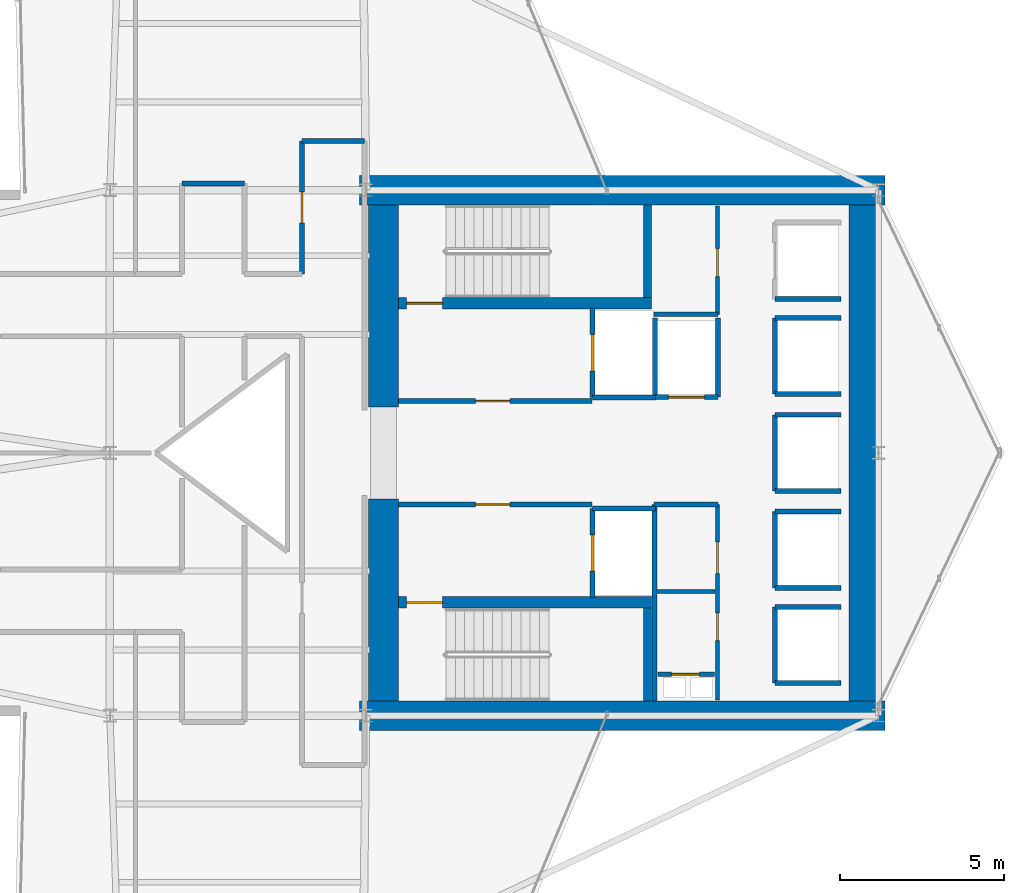
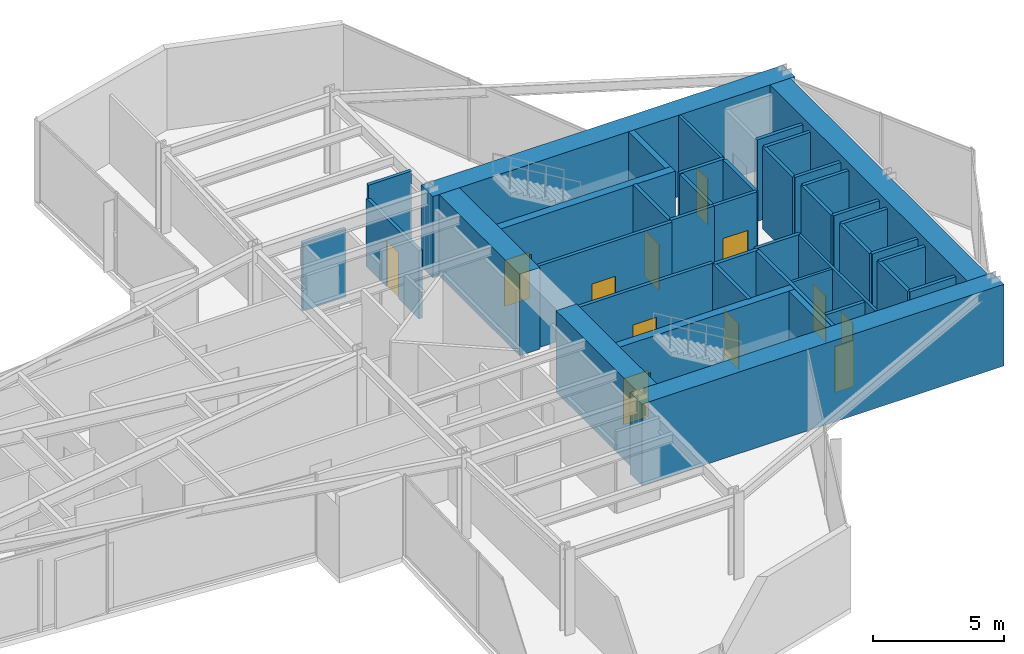
# One storey, part 22 of 24: 41 walls, 12 doors, 12 openings.
"""IFC4 building model written with IfcOpenShell, lengths in metres."""

import ifcopenshell
import ifcopenshell.guid

model = None  # the IFC model being written
_history = None  # IfcOwnerHistory: only IFC2X3 demands one
_inside = {}  # id of a spatial element -> (the spatial element, [elements in it])
_under = {}  # id of a project, library or spatial element -> (it, [spatial elements below it])
_declared = {}  # id of a project -> (the project, [libraries it declares])
_typed = {}  # id of a type object -> (the type object, [elements of that type])
_made_of = {}  # id of a material, layer set ... -> (it, [elements and type objects made of it])


def new_model(schema):
    """Start an empty IFC model of exactly this schema.

    Asked for "IFC4X3", IfcOpenShell would pick the latest addendum, in which some entities
    have other attributes; the version numbers below select the first issue.
    IFC2X3 requires an IfcOwnerHistory on every rooted entity: one is made here for all.
    """
    global model, _history
    if schema == "IFC4X3":
        model = ifcopenshell.file(schema_version=(4, 3, 0, 0))
    else:
        model = ifcopenshell.file(schema=schema)
    _inside.clear()
    _under.clear()
    _declared.clear()
    _typed.clear()
    _made_of.clear()
    _history = None
    if model.schema == "IFC2X3":
        org = make("IfcOrganization", Name="unknown")
        user = make(
            "IfcPersonAndOrganization",
            ThePerson=make("IfcPerson", FamilyName="unknown"),
            TheOrganization=org,
        )
        app = make(
            "IfcApplication",
            ApplicationDeveloper=org,
            Version="unknown",
            ApplicationFullName="unknown",
            ApplicationIdentifier="unknown",
        )
        _history = make(
            "IfcOwnerHistory",
            OwningUser=user,
            OwningApplication=app,
            ChangeAction="ADDED",
            CreationDate=0,
        )
    return model


def make(cls, **values):
    """One entity of the class cls with the attributes given. An attribute that is None is left unset."""
    return model.create_entity(
        cls, **{name: value for name, value in values.items() if value is not None}
    )


def rooted(cls, **values):
    """An entity with a GlobalId (a new one), such as an element, a storey or a relation."""
    return make(cls, GlobalId=ifcopenshell.guid.new(), OwnerHistory=_history, **values)


def si_unit(unit_type, name, prefix=None):
    """IfcSIUnit, for example si_unit("LENGTHUNIT", "METRE", prefix="MILLI")."""
    return make("IfcSIUnit", UnitType=unit_type, Prefix=prefix, Name=name)


def assignment(units):
    """IfcUnitAssignment: the units of a project."""
    return None if units is None else make("IfcUnitAssignment", Units=units)


def point(xyz):
    """IfcCartesianPoint."""
    return None if xyz is None else make("IfcCartesianPoint", Coordinates=xyz)


def direction(xyz):
    """IfcDirection."""
    return None if xyz is None else make("IfcDirection", DirectionRatios=xyz)


def frame(location, z_axis=None, x_axis=None):
    """IfcAxis2Placement3D, a coordinate frame: its origin and axes. An axis left out is left unset."""
    return make(
        "IfcAxis2Placement3D",
        Location=point(location),
        Axis=direction(z_axis),
        RefDirection=direction(x_axis),
    )


def frame_2d(location, x_axis=None):
    """IfcAxis2Placement2D, a coordinate frame in the plane: its origin and x axis."""
    return make(
        "IfcAxis2Placement2D", Location=point(location), RefDirection=direction(x_axis)
    )


def origin():
    """The frame at (0, 0, 0) with its axes left unset."""
    return frame((0.0, 0.0, 0.0))


def place(relative_to, where):
    """IfcLocalPlacement: puts the frame where relative to a parent placement (None: the world)."""
    return make(
        "IfcLocalPlacement", PlacementRelTo=relative_to, RelativePlacement=where
    )


def context(
    kind, dimensions, precision=None, world=None, true_north=None, identifier=None
):
    """IfcGeometricRepresentationContext, for example the 3D "Model" context."""
    return make(
        "IfcGeometricRepresentationContext",
        ContextIdentifier=identifier,
        ContextType=kind,
        CoordinateSpaceDimension=dimensions,
        Precision=precision,
        WorldCoordinateSystem=world,
        TrueNorth=true_north,
    )


def subcontext(parent, identifier, kind, view, scale=None):
    """IfcGeometricRepresentationSubContext, for example "Body" below "Model"."""
    return make(
        "IfcGeometricRepresentationSubContext",
        ContextIdentifier=identifier,
        ContextType=kind,
        ParentContext=parent,
        TargetScale=scale,
        TargetView=view,
    )


def project(units=None, contexts=None):
    """IfcProject with its units and contexts."""
    return rooted(
        "IfcProject",
        Name="project",
        RepresentationContexts=contexts,
        UnitsInContext=assignment(units),
    )


def spatial(cls, under=None, at=None, **own):
    """A site, building, storey or space (cls), placed at a placement, below another one or the project."""
    s = rooted(cls, ObjectPlacement=at, **own)
    if under is not None:
        _under.setdefault(under.id(), (under, []))[1].append(s)
    return s


def profile(cls, at=None, kind="AREA", **sizes):
    """A parametric profile (cls). Its sizes go by their IFC names, for example OverallWidth=200.0."""
    return make(cls, ProfileType=kind, Position=at, **sizes)


def rectangle(**sizes):
    """IfcRectangleProfileDef."""
    return profile("IfcRectangleProfileDef", **sizes)


def extrude(swept, where, along, depth):
    """IfcExtrudedAreaSolid: the profile swept, set in the frame where, extruded along a direction by depth."""
    return make(
        "IfcExtrudedAreaSolid",
        SweptArea=swept,
        Position=where,
        ExtrudedDirection=direction(along),
        Depth=depth,
    )


def shape(context_of_items, identifier, shape_type, items):
    """IfcShapeRepresentation: the items that make up one representation, for example the "Body"."""
    return make(
        "IfcShapeRepresentation",
        ContextOfItems=context_of_items,
        RepresentationIdentifier=identifier,
        RepresentationType=shape_type,
        Items=items,
    )


def material(Name=None, Category=None):
    """IfcMaterial."""
    return make("IfcMaterial", Name=Name, Category=Category)


def layer(
    of_material, thickness, ventilated=None, Name=None, Category=None, Priority=None
):
    """IfcMaterialLayer: one layer of a wall or slab, of a material (None: an air gap)."""
    return make(
        "IfcMaterialLayer",
        Material=of_material,
        LayerThickness=thickness,
        IsVentilated=ventilated,
        Name=Name,
        Category=Category,
        Priority=Priority,
    )


def layer_set(layers, Name=None):
    """IfcMaterialLayerSet."""
    return make("IfcMaterialLayerSet", MaterialLayers=layers, LayerSetName=Name)


def made_of(thing, what):
    """Note that an element or type object is made of a material, layer set ...; save() writes the relation."""
    if what is not None:
        _made_of.setdefault(what.id(), (what, []))[1].append(thing)
    return thing


def type_object(cls, material=None, **own):
    """A type object (cls), such as IfcWallType, which elements share."""
    return made_of(rooted(cls, **own), material)


def element(
    cls,
    number,
    at=None,
    inside=None,
    cuts=None,
    type_object=None,
    material=None,
    context=None,
    identifier="Body",
    shape_type=None,
    held_by="IfcProductDefinitionShape",
    body=None,
    shapes=None,
    **own,
):
    """One element of the class cls, such as IfcWall. Its Tag is "e" and its number.

    at: its placement. inside: the storey or other place that contains it. cuts: it is an
    opening in that element (IfcRelVoidsElement). A single representation is given by context,
    identifier, shape_type and body (its items); several are given by shapes. held_by: the class
    of the entity that holds the representations. save() writes the other relations.
    """
    e = rooted(cls, Tag="e%d" % number, ObjectPlacement=at, **own)
    if body is not None:
        shapes = [shape(context, identifier, shape_type, body)]
    if shapes is not None:
        e.Representation = make(held_by, Representations=shapes)
    if inside is not None:
        _inside.setdefault(inside.id(), (inside, []))[1].append(e)
    if cuts is not None:
        rooted(
            "IfcRelVoidsElement", RelatingBuildingElement=cuts, RelatedOpeningElement=e
        )
    if type_object is not None:
        _typed.setdefault(type_object.id(), (type_object, []))[1].append(e)
    return made_of(e, material)


def fill(opening, filler):
    """IfcRelFillsElement: the door or window that sits in an opening."""
    return rooted(
        "IfcRelFillsElement",
        RelatingOpeningElement=opening,
        RelatedBuildingElement=filler,
    )


def aggregate(whole, parts):
    """IfcRelAggregates: a whole, such as a stair, and the parts it consists of."""
    return rooted("IfcRelAggregates", RelatingObject=whole, RelatedObjects=parts)


def save(model, path):
    """Write the relations noted so far, then the file.

    IfcRelAggregates (storeys below a building ...), IfcRelContainedInSpatialStructure (elements
    in a storey), IfcRelDefinesByType, IfcRelAssociatesMaterial and IfcRelDeclares: one each for
    every whole, place, type object, material and project.
    """
    for whole, parts in _under.values():
        aggregate(whole, parts)
    for where, things in _inside.values():
        rooted(
            "IfcRelContainedInSpatialStructure",
            RelatedElements=things,
            RelatingStructure=where,
        )
    for kind, things in _typed.values():
        rooted("IfcRelDefinesByType", RelatedObjects=things, RelatingType=kind)
    for what, things in _made_of.values():
        rooted("IfcRelAssociatesMaterial", RelatedObjects=things, RelatingMaterial=what)
    for by, libraries in _declared.values():
        rooted("IfcRelDeclares", RelatingContext=by, RelatedDefinitions=libraries)
    model.write(path)


model = new_model("IFC4")

# Units and contexts
model_context = context("Model", 3, precision=1e-05, world=origin(), true_north=direction((0.0, 1.0)))
body_context = subcontext(model_context, "Body", "Model", "MODEL_VIEW")
ifc_project = project(units=[si_unit("LENGTHUNIT", "METRE"), si_unit("AREAUNIT", "SQUARE_METRE"), si_unit("VOLUMEUNIT", "CUBIC_METRE"), si_unit("PLANEANGLEUNIT", "RADIAN"), si_unit("MASSUNIT", "GRAM", prefix="KILO")], contexts=[model_context])

# Site, building, storey
site_placement = place(None, origin())
site = spatial("IfcSite", under=ifc_project, at=site_placement, CompositionType="ELEMENT")
building_placement = place(site_placement, origin())
building = spatial("IfcBuilding", under=site, at=building_placement, Name="Veymaron Broadcast Tower", CompositionType="ELEMENT")
storey_placement = place(building_placement, frame((0.0, 0.0, 78.300048828125)))
storey = spatial("IfcBuildingStorey", under=building, at=storey_placement, Name="L17", CompositionType="ELEMENT", Elevation=78.300048828125)

# Wall, opening, door
ifc_material_1 = material(Name="Gypsum fireboard and steel stud framing", Category="steel")
ifc_layer_1 = layer(ifc_material_1, 0.14990234375)
ifc_layer_set_1 = layer_set([ifc_layer_1], Name="Gypsum fireboard and steel stud framing")
wall_type_1 = type_object("IfcWallType", Name="WALL-FIRE-150", PredefinedType="PARTITIONING", material=ifc_layer_set_1)
wall_1_placement = place(storey_placement, frame((39.97998046875, 25.574951171875, 0.0), z_axis=(0.0, 0.0, 1.0), x_axis=(1.0, 0.0, 0.0)))
wall_1 = element("IfcWall", 1, at=wall_1_placement, inside=storey, type_object=wall_type_1, Name="L17 partition IW-L17-FFLN-S", PredefinedType="PARTITIONING", context=body_context, shape_type="SweptSolid", body=[
    extrude(rectangle(XDim=5.89990234375, YDim=0.14990234375, at=frame_2d((2.949951171875, 0.0))), origin(), (0.0, 0.0, 1.0), 3.81005859375),
])
opening_1_placement = place(wall_1_placement, frame((2.35009765625, 0.0, 0.0)))
opening_1 = element("IfcOpeningElement", 2, at=opening_1_placement, cuts=wall_1, Name="Opening ID-FL1", PredefinedType="OPENING", context=body_context, shape_type="SweptSolid", body=[
    extrude(rectangle(XDim=1.050048828125, YDim=2.14990234375, at=frame_2d((0.52490234375, 1.074951171875))), frame((0.0, 0.0849609375, 0.0), z_axis=(0.0, -1.0, 0.0), x_axis=(1.0, 0.0, 0.0)), (0.0, 0.0, 1.0), 0.169921875),
])
ifc_material_2 = material(Name="Fire-rated painted hollow steel ASTM A653", Category="steel")
door_type_1 = type_object("IfcDoorType", Name="DOOR-FIRE-1050", OperationType="NOTDEFINED", PredefinedType="DOOR", material=ifc_material_2)
door_1_placement = place(opening_1_placement, origin())
door_1 = element("IfcDoor", 3, at=door_1_placement, inside=storey, type_object=door_type_1, Name="L17 door DR-L17-FFLN", OperationType="SINGLE_SWING_LEFT", OverallHeight=2.14990234375, OverallWidth=1.050048828125, PredefinedType="DOOR", context=body_context, shape_type="SweptSolid", body=[
    extrude(rectangle(XDim=1.050048828125, YDim=2.14990234375, at=frame_2d((0.52490234375, 1.074951171875))), frame((0.0, 0.02490234375, 0.0), z_axis=(0.0, -1.0, 0.0), x_axis=(1.0, 0.0, 0.0)), (0.0, 0.0, 1.0), 0.050048828125),
])
fill(opening_1, door_1)

wall_2_placement = place(storey_placement, frame((39.97998046875, 22.425048828125, 0.0), z_axis=(0.0, 0.0, 1.0), x_axis=(1.0, 0.0, 0.0)))
wall_2 = element("IfcWall", 4, at=wall_2_placement, inside=storey, type_object=wall_type_1, Name="L17 partition IW-L17-FFLS-N", PredefinedType="PARTITIONING", context=body_context, shape_type="SweptSolid", body=[
    extrude(rectangle(XDim=5.89990234375, YDim=0.14990234375, at=frame_2d((2.949951171875, 0.0))), origin(), (0.0, 0.0, 1.0), 3.81005859375),
])
opening_2_placement = place(wall_2_placement, frame((2.35009765625, 0.0, 0.0)))
opening_2 = element("IfcOpeningElement", 5, at=opening_2_placement, cuts=wall_2, Name="Opening ID-FL1", PredefinedType="OPENING", context=body_context, shape_type="SweptSolid", body=[
    extrude(rectangle(XDim=1.050048828125, YDim=2.14990234375, at=frame_2d((0.52490234375, 1.074951171875))), frame((0.0, 0.0849609375, 0.0), z_axis=(0.0, -1.0, 0.0), x_axis=(1.0, 0.0, 0.0)), (0.0, 0.0, 1.0), 0.169921875),
])
door_2_placement = place(opening_2_placement, frame((1.050048828125, 0.0, 0.0), z_axis=(0.0, 0.0, 1.0), x_axis=(-1.0, 0.0, 0.0)))
door_2 = element("IfcDoor", 6, at=door_2_placement, inside=storey, type_object=door_type_1, Name="L17 door DR-L17-FFLS", OperationType="SINGLE_SWING_RIGHT", OverallHeight=2.14990234375, OverallWidth=1.050048828125, PredefinedType="DOOR", context=body_context, shape_type="SweptSolid", body=[
    extrude(rectangle(XDim=1.050048828125, YDim=2.14990234375, at=frame_2d((0.52490234375, 1.074951171875))), frame((0.0, 0.02490234375, 0.0), z_axis=(0.0, -1.0, 0.0), x_axis=(1.0, 0.0, 0.0)), (0.0, 0.0, 1.0), 0.050048828125),
])
fill(opening_2, door_2)

wall_3_placement = place(storey_placement, frame((45.89501953125, 25.68994140625, 0.0), z_axis=(0.0, 0.0, 1.0), x_axis=(0.0, 1.0, 0.0)))
wall_3 = element("IfcWall", 7, at=wall_3_placement, inside=storey, type_object=wall_type_1, Name="L17 partition IW-L17-SHW-FFL-1", PredefinedType="PARTITIONING", context=body_context, shape_type="SweptSolid", body=[
    extrude(rectangle(XDim=2.719970703125, YDim=0.14990234375, at=frame_2d((1.35986328125, 0.0))), origin(), (0.0, 0.0, 1.0), 3.81005859375),
])
opening_3_placement = place(wall_3_placement, frame((0.81005859375, 0.0, 0.0)))
opening_3 = element("IfcOpeningElement", 8, at=opening_3_placement, cuts=wall_3, Name="Opening LD", PredefinedType="OPENING", context=body_context, shape_type="SweptSolid", body=[
    extrude(rectangle(XDim=1.10009765625, YDim=2.14990234375, at=frame_2d((0.550048828125, 1.074951171875))), frame((0.0, 0.0849609375, 0.0), z_axis=(0.0, -1.0, 0.0), x_axis=(1.0, 0.0, 0.0)), (0.0, 0.0, 1.0), 0.169921875),
])
ifc_material_3 = material(Name="Brushed stainless steel AISI 304", Category="steel")
door_type_2 = type_object("IfcDoorType", Name="DOOR-LIFT-1100", OperationType="DOUBLE_DOOR_SLIDING", PredefinedType="DOOR", material=ifc_material_3)
door_3_placement = place(opening_3_placement, frame((1.10009765625, 0.0, 0.0), z_axis=(0.0, 0.0, 1.0), x_axis=(-1.0, 0.0, 0.0)))
door_3 = element("IfcDoor", 9, at=door_3_placement, inside=storey, type_object=door_type_2, Name="L17 door LD-L17-FFL-1", OperationType="DOUBLE_DOOR_SLIDING", OverallHeight=2.14990234375, OverallWidth=1.10009765625, PredefinedType="DOOR", context=body_context, shape_type="SweptSolid", body=[
    extrude(rectangle(XDim=1.10009765625, YDim=2.14990234375, at=frame_2d((0.550048828125, 1.074951171875))), frame((0.0, 0.02490234375, 0.0), z_axis=(0.0, -1.0, 0.0), x_axis=(1.0, 0.0, 0.0)), (0.0, 0.0, 1.0), 0.050048828125),
])
fill(opening_3, door_3)

# Wall
wall_4_placement = place(storey_placement, frame((45.89501953125, 25.68994140625, 0.0), z_axis=(0.0, 0.0, 1.0), x_axis=(1.0, 0.0, 0.0)))
element("IfcWall", 10, at=wall_4_placement, inside=storey, type_object=wall_type_1, Name="L17 partition IW-L17-SHS-FFL-1", PredefinedType="PARTITIONING", context=body_context, shape_type="SweptSolid", body=[
    extrude(rectangle(XDim=1.9150390625, YDim=0.14990234375, at=frame_2d((0.95751953125, 0.0))), origin(), (0.0, 0.0, 1.0), 3.81005859375),
])

# Wall, opening, door
wall_5_placement = place(storey_placement, frame((45.89501953125, 19.590087890625, 0.0), z_axis=(0.0, 0.0, 1.0), x_axis=(0.0, 1.0, 0.0)))
wall_5 = element("IfcWall", 11, at=wall_5_placement, inside=storey, type_object=wall_type_1, Name="L17 partition IW-L17-SHW-FFL-2", PredefinedType="PARTITIONING", context=body_context, shape_type="SweptSolid", body=[
    extrude(rectangle(XDim=2.719970703125, YDim=0.14990234375, at=frame_2d((1.35986328125, 0.0))), origin(), (0.0, 0.0, 1.0), 3.81005859375),
])
opening_4_placement = place(wall_5_placement, frame((0.81005859375, 0.0, 0.0)))
opening_4 = element("IfcOpeningElement", 12, at=opening_4_placement, cuts=wall_5, Name="Opening LD", PredefinedType="OPENING", context=body_context, shape_type="SweptSolid", body=[
    extrude(rectangle(XDim=1.10009765625, YDim=2.14990234375, at=frame_2d((0.550048828125, 1.074951171875))), frame((0.0, 0.0849609375, 0.0), z_axis=(0.0, -1.0, 0.0), x_axis=(1.0, 0.0, 0.0)), (0.0, 0.0, 1.0), 0.169921875),
])
door_4_placement = place(opening_4_placement, frame((1.10009765625, 0.0, 0.0), z_axis=(0.0, 0.0, 1.0), x_axis=(-1.0, 0.0, 0.0)))
door_4 = element("IfcDoor", 13, at=door_4_placement, inside=storey, type_object=door_type_2, Name="L17 door LD-L17-FFL-2", OperationType="DOUBLE_DOOR_SLIDING", OverallHeight=2.14990234375, OverallWidth=1.10009765625, PredefinedType="DOOR", context=body_context, shape_type="SweptSolid", body=[
    extrude(rectangle(XDim=1.10009765625, YDim=2.14990234375, at=frame_2d((0.550048828125, 1.074951171875))), frame((0.0, 0.02490234375, 0.0), z_axis=(0.0, -1.0, 0.0), x_axis=(1.0, 0.0, 0.0)), (0.0, 0.0, 1.0), 0.050048828125),
])
fill(opening_4, door_4)

# Wall
wall_6_placement = place(storey_placement, frame((45.89501953125, 22.31005859375, 0.0), z_axis=(0.0, 0.0, 1.0), x_axis=(1.0, 0.0, 0.0)))
element("IfcWall", 14, at=wall_6_placement, inside=storey, type_object=wall_type_1, Name="L17 partition IW-L17-SHN-FFL-2", PredefinedType="PARTITIONING", context=body_context, shape_type="SweptSolid", body=[
    extrude(rectangle(XDim=1.9150390625, YDim=0.14990234375, at=frame_2d((0.95751953125, 0.0))), origin(), (0.0, 0.0, 1.0), 3.81005859375),
])

# Wall, opening, door
wall_7_placement = place(storey_placement, frame((47.7900390625, 25.695068359375, 0.0), z_axis=(0.0, 0.0, 1.0), x_axis=(1.0, 0.0, 0.0)))
wall_7 = element("IfcWall", 15, at=wall_7_placement, inside=storey, type_object=wall_type_1, Name="L17 partition IW-L17-SHS-SL-1", PredefinedType="PARTITIONING", context=body_context, shape_type="SweptSolid", body=[
    extrude(rectangle(XDim=1.919921875, YDim=0.14990234375, at=frame_2d((0.9599609375, 0.0))), origin(), (0.0, 0.0, 1.0), 3.81005859375),
])
opening_5_placement = place(wall_7_placement, frame((0.409912109375, 0.0, 0.0)))
opening_5 = element("IfcOpeningElement", 16, at=opening_5_placement, cuts=wall_7, Name="Opening LD", PredefinedType="OPENING", context=body_context, shape_type="SweptSolid", body=[
    extrude(rectangle(XDim=1.10009765625, YDim=2.14990234375, at=frame_2d((0.550048828125, 1.074951171875))), frame((0.0, 0.0849609375, 0.0), z_axis=(0.0, -1.0, 0.0), x_axis=(1.0, 0.0, 0.0)), (0.0, 0.0, 1.0), 0.169921875),
])
door_5_placement = place(opening_5_placement, frame((1.10009765625, 0.0, 0.0), z_axis=(0.0, 0.0, 1.0), x_axis=(-1.0, 0.0, 0.0)))
door_5 = element("IfcDoor", 17, at=door_5_placement, inside=storey, type_object=door_type_2, Name="L17 door LD-L17-SL-1", OperationType="DOUBLE_DOOR_SLIDING", OverallHeight=2.14990234375, OverallWidth=1.10009765625, PredefinedType="DOOR", context=body_context, shape_type="SweptSolid", body=[
    extrude(rectangle(XDim=1.10009765625, YDim=2.14990234375, at=frame_2d((0.550048828125, 1.074951171875))), frame((0.0, 0.02490234375, 0.0), z_axis=(0.0, -1.0, 0.0), x_axis=(1.0, 0.0, 0.0)), (0.0, 0.0, 1.0), 0.050048828125),
])
fill(opening_5, door_5)

# Walls
for number, where, z_axis, x_axis, name in (
    (18, (47.7900390625, 25.695068359375, 0.0), (0.0, 0.0, 1.0), (0.0, 1.0, 0.0), "L17 partition IW-L17-SHW-SL-1"),
    (19, (49.7099609375, 25.695068359375, 0.0), (0.0, 0.0, 1.0), (0.0, 1.0, 0.0), "L17 partition IW-L17-SHE-SL-1"),
):
    element("IfcWall", number, at=place(storey_placement, frame(where, z_axis=z_axis, x_axis=x_axis)), inside=storey, type_object=wall_type_1, Name=name, PredefinedType="PARTITIONING", context=body_context, shape_type="SweptSolid", body=[
        extrude(rectangle(XDim=2.4150390625, YDim=0.14990234375, at=frame_2d((1.20751953125, 0.0))), origin(), (0.0, 0.0, 1.0), 3.81005859375),
    ])
wall_8_placement = place(storey_placement, frame((51.445068359375, 28.68994140625, 0.0), z_axis=(0.0, 0.0, 1.0), x_axis=(1.0, 0.0, 0.0)))
element("IfcWall", 20, at=wall_8_placement, inside=storey, type_object=wall_type_1, Name="L17 partition IW-L17-SHS-PL1", PredefinedType="PARTITIONING", context=body_context, shape_type="SweptSolid", body=[
    extrude(rectangle(XDim=2.014892578125, YDim=0.14990234375, at=frame_2d((1.00732421875, 0.0))), origin(), (0.0, 0.0, 1.0), 3.81005859375),
])
wall_9_placement = place(storey_placement, frame((51.445068359375, 25.7900390625, 0.0), z_axis=(0.0, 0.0, 1.0), x_axis=(0.0, 1.0, 0.0)))
element("IfcWall", 21, at=wall_9_placement, inside=storey, type_object=wall_type_1, Name="L17 partition IW-L17-SHW-PM1", PredefinedType="PARTITIONING", context=body_context, shape_type="SweptSolid", body=[
    extrude(rectangle(XDim=2.320068359375, YDim=0.14990234375, at=frame_2d((1.16015625, 0.0))), origin(), (0.0, 0.0, 1.0), 3.81005859375),
])
for number, where, z_axis, x_axis, name in (
    (22, (51.445068359375, 25.7900390625, 0.0), (0.0, 0.0, 1.0), (1.0, 0.0, 0.0), "L17 partition IW-L17-SHS-PM1"),
    (23, (51.445068359375, 28.110107421875, 0.0), (0.0, 0.0, 1.0), (1.0, 0.0, 0.0), "L17 partition IW-L17-SHN-PM1"),
):
    element("IfcWall", number, at=place(storey_placement, frame(where, z_axis=z_axis, x_axis=x_axis)), inside=storey, type_object=wall_type_1, Name=name, PredefinedType="PARTITIONING", context=body_context, shape_type="SweptSolid", body=[
        extrude(rectangle(XDim=2.014892578125, YDim=0.14990234375, at=frame_2d((1.00732421875, 0.0))), origin(), (0.0, 0.0, 1.0), 3.81005859375),
    ])
wall_10_placement = place(storey_placement, frame((51.445068359375, 19.889892578125, 0.0), z_axis=(0.0, 0.0, 1.0), x_axis=(0.0, 1.0, 0.0)))
element("IfcWall", 24, at=wall_10_placement, inside=storey, type_object=wall_type_1, Name="L17 partition IW-L17-SHW-PM2", PredefinedType="PARTITIONING", context=body_context, shape_type="SweptSolid", body=[
    extrude(rectangle(XDim=2.320068359375, YDim=0.14990234375, at=frame_2d((1.16015625, 0.0))), origin(), (0.0, 0.0, 1.0), 3.81005859375),
])
for number, where, z_axis, x_axis, name in (
    (25, (51.445068359375, 19.889892578125, 0.0), (0.0, 0.0, 1.0), (1.0, 0.0, 0.0), "L17 partition IW-L17-SHS-PM2"),
    (26, (51.445068359375, 22.2099609375, 0.0), (0.0, 0.0, 1.0), (1.0, 0.0, 0.0), "L17 partition IW-L17-SHN-PM2"),
):
    element("IfcWall", number, at=place(storey_placement, frame(where, z_axis=z_axis, x_axis=x_axis)), inside=storey, type_object=wall_type_1, Name=name, PredefinedType="PARTITIONING", context=body_context, shape_type="SweptSolid", body=[
        extrude(rectangle(XDim=2.014892578125, YDim=0.14990234375, at=frame_2d((1.00732421875, 0.0))), origin(), (0.0, 0.0, 1.0), 3.81005859375),
    ])
wall_11_placement = place(storey_placement, frame((51.445068359375, 22.840087890625, 0.0), z_axis=(0.0, 0.0, 1.0), x_axis=(0.0, 1.0, 0.0)))
element("IfcWall", 27, at=wall_11_placement, inside=storey, type_object=wall_type_1, Name="L17 partition IW-L17-SHW-PM3", PredefinedType="PARTITIONING", context=body_context, shape_type="SweptSolid", body=[
    extrude(rectangle(XDim=2.31982421875, YDim=0.14990234375, at=frame_2d((1.159912109375, 0.0))), origin(), (0.0, 0.0, 1.0), 3.81005859375),
])
for number, where, z_axis, x_axis, name in (
    (28, (51.445068359375, 22.840087890625, 0.0), (0.0, 0.0, 1.0), (1.0, 0.0, 0.0), "L17 partition IW-L17-SHS-PM3"),
    (29, (51.445068359375, 25.159912109375, 0.0), (0.0, 0.0, 1.0), (1.0, 0.0, 0.0), "L17 partition IW-L17-SHN-PM3"),
):
    element("IfcWall", number, at=place(storey_placement, frame(where, z_axis=z_axis, x_axis=x_axis)), inside=storey, type_object=wall_type_1, Name=name, PredefinedType="PARTITIONING", context=body_context, shape_type="SweptSolid", body=[
        extrude(rectangle(XDim=2.014892578125, YDim=0.14990234375, at=frame_2d((1.00732421875, 0.0))), origin(), (0.0, 0.0, 1.0), 3.81005859375),
    ])
wall_12_placement = place(storey_placement, frame((51.445068359375, 16.989990234375, 0.0), z_axis=(0.0, 0.0, 1.0), x_axis=(0.0, 1.0, 0.0)))
element("IfcWall", 30, at=wall_12_placement, inside=storey, type_object=wall_type_1, Name="L17 partition IW-L17-SHW-PH1", PredefinedType="PARTITIONING", context=body_context, shape_type="SweptSolid", body=[
    extrude(rectangle(XDim=2.320068359375, YDim=0.14990234375, at=frame_2d((1.16015625, 0.0))), origin(), (0.0, 0.0, 1.0), 3.81005859375),
])
for number, where, z_axis, x_axis, name in (
    (31, (51.445068359375, 16.989990234375, 0.0), (0.0, 0.0, 1.0), (1.0, 0.0, 0.0), "L17 partition IW-L17-SHS-PH1"),
    (32, (51.445068359375, 19.31005859375, 0.0), (0.0, 0.0, 1.0), (1.0, 0.0, 0.0), "L17 partition IW-L17-SHN-PH1"),
):
    element("IfcWall", number, at=place(storey_placement, frame(where, z_axis=z_axis, x_axis=x_axis)), inside=storey, type_object=wall_type_1, Name=name, PredefinedType="PARTITIONING", context=body_context, shape_type="SweptSolid", body=[
        extrude(rectangle(XDim=2.014892578125, YDim=0.14990234375, at=frame_2d((1.00732421875, 0.0))), origin(), (0.0, 0.0, 1.0), 3.81005859375),
    ])

# Wall, opening, door
wall_13_placement = place(storey_placement, frame((47.8798828125, 17.260009765625, 0.0), z_axis=(0.0, 0.0, 1.0), x_axis=(1.0, 0.0, 0.0)))
wall_13 = element("IfcWall", 33, at=wall_13_placement, inside=storey, type_object=wall_type_1, Name="L17 partition IW-L17-RIS-N", PredefinedType="PARTITIONING", context=body_context, shape_type="SweptSolid", body=[
    extrude(rectangle(XDim=1.72021484375, YDim=0.14990234375, at=frame_2d((0.860107421875, 0.0))), origin(), (0.0, 0.0, 1.0), 3.81005859375),
])
opening_6_placement = place(wall_13_placement, frame((0.419921875, 0.0, 0.0)))
opening_6 = element("IfcOpeningElement", 34, at=opening_6_placement, cuts=wall_13, Name="Opening ID-RS1", PredefinedType="OPENING", context=body_context, shape_type="SweptSolid", body=[
    extrude(rectangle(XDim=0.85009765625, YDim=2.14990234375, at=frame_2d((0.425048828125, 1.074951171875))), frame((0.0, 0.0849609375, 0.0), z_axis=(0.0, -1.0, 0.0), x_axis=(1.0, 0.0, 0.0)), (0.0, 0.0, 1.0), 0.169921875),
])
ifc_material_4 = material(Name="Fire-rated powder-coated steel riser leaf", Category="steel")
door_type_3 = type_object("IfcDoorType", Name="DOOR-RIS-850", OperationType="NOTDEFINED", PredefinedType="TRAPDOOR", material=ifc_material_4)
door_6_placement = place(opening_6_placement, origin())
door_6 = element("IfcDoor", 35, at=door_6_placement, inside=storey, type_object=door_type_3, Name="L17 door DR-L17-RIS", OperationType="SINGLE_SWING_LEFT", OverallHeight=2.14990234375, OverallWidth=0.85009765625, PredefinedType="TRAPDOOR", context=body_context, shape_type="SweptSolid", body=[
    extrude(rectangle(XDim=0.85009765625, YDim=2.14990234375, at=frame_2d((0.425048828125, 1.074951171875))), frame((0.0, 0.02490234375, 0.0), z_axis=(0.0, -1.0, 0.0), x_axis=(1.0, 0.0, 0.0)), (0.0, 0.0, 1.0), 0.050048828125),
])
fill(opening_6, door_6)

# Walls
wall_14_placement = place(storey_placement, frame((47.760009765625, 22.425048828125, 0.0), z_axis=(0.0, 0.0, 1.0), x_axis=(1.0, 0.0, 0.0)))
element("IfcWall", 36, at=wall_14_placement, inside=storey, type_object=wall_type_1, Name="L17 partition IW-L17-SM-N", PredefinedType="PARTITIONING", context=body_context, shape_type="SweptSolid", body=[
    extrude(rectangle(XDim=1.9599609375, YDim=0.14990234375, at=frame_2d((0.97998046875, 0.0))), origin(), (0.0, 0.0, 1.0), 3.81005859375),
])
wall_15_placement = place(storey_placement, frame((47.780029296875, 16.449951171875, 0.0), z_axis=(0.0, 0.0, 1.0), x_axis=(0.0, 1.0, 0.0)))
element("IfcWall", 37, at=wall_15_placement, inside=storey, type_object=wall_type_1, Name="L17 partition IW-L17-SM-W", PredefinedType="PARTITIONING", context=body_context, shape_type="SweptSolid", body=[
    extrude(rectangle(XDim=5.97509765625, YDim=0.14990234375, at=frame_2d((2.987548828125, 0.0))), origin(), (0.0, 0.0, 1.0), 3.81005859375),
])
wall_16_placement = place(storey_placement, frame((47.760009765625, 28.219970703125, 0.0), z_axis=(0.0, 0.0, 1.0), x_axis=(1.0, 0.0, 0.0)))
element("IfcWall", 38, at=wall_16_placement, inside=storey, type_object=wall_type_1, Name="L17 partition IW-L17-NM-S", PredefinedType="PARTITIONING", context=body_context, shape_type="SweptSolid", body=[
    extrude(rectangle(XDim=1.9599609375, YDim=0.14990234375, at=frame_2d((0.97998046875, 0.0))), origin(), (0.0, 0.0, 1.0), 3.81005859375),
])

# Wall, opening, door
wall_17_placement = place(storey_placement, frame((37.050048828125, 29.449951171875, 0.0), z_axis=(0.0, 0.0, 1.0), x_axis=(0.0, 1.0, 0.0)))
wall_17 = element("IfcWall", 39, at=wall_17_placement, inside=storey, type_object=wall_type_1, Name="L17 partition IW-L17-P27", PredefinedType="PARTITIONING", context=body_context, shape_type="SweptSolid", body=[
    extrude(rectangle(XDim=4.050048828125, YDim=0.14990234375, at=frame_2d((2.02490234375, 0.0))), origin(), (0.0, 0.0, 1.0), 3.180908203125),
])
opening_7_placement = place(wall_17_placement, frame((1.550048828125, 0.0, 0.0)))
opening_7 = element("IfcOpeningElement", 40, at=opening_7_placement, cuts=wall_17, Name="Opening ID-RM1", PredefinedType="OPENING", context=body_context, shape_type="SweptSolid", body=[
    extrude(rectangle(XDim=0.949951171875, YDim=2.14990234375, at=frame_2d((0.47509765625, 1.074951171875))), frame((0.0, 0.0849609375, 0.0), z_axis=(0.0, -1.0, 0.0), x_axis=(1.0, 0.0, 0.0)), (0.0, 0.0, 1.0), 0.169921875),
])
ifc_material_5 = material(Name="Acoustic solid-core European oak veneer timber", Category="wood")
door_type_4 = type_object("IfcDoorType", Name="DOOR-INT-950", OperationType="NOTDEFINED", PredefinedType="DOOR", material=ifc_material_5)
door_7_placement = place(opening_7_placement, origin())
door_7 = element("IfcDoor", 41, at=door_7_placement, inside=storey, type_object=door_type_4, Name="L17 door DR-L17-P27", OperationType="SINGLE_SWING_RIGHT", OverallHeight=2.14990234375, OverallWidth=0.949951171875, PredefinedType="DOOR", context=body_context, shape_type="SweptSolid", body=[
    extrude(rectangle(XDim=0.949951171875, YDim=2.14990234375, at=frame_2d((0.47509765625, 1.074951171875))), frame((0.0, 0.02490234375, 0.0), z_axis=(0.0, -1.0, 0.0), x_axis=(1.0, 0.0, 0.0)), (0.0, 0.0, 1.0), 0.050048828125),
])
fill(opening_7, door_7)

# Walls
wall_18_placement = place(storey_placement, frame((37.050048828125, 33.5, 0.0), z_axis=(0.0, 0.0, 1.0), x_axis=(1.0, 0.0, 0.0)))
element("IfcWall", 42, at=wall_18_placement, inside=storey, type_object=wall_type_1, Name="L17 partition IW-L17-P30", PredefinedType="PARTITIONING", context=body_context, shape_type="SweptSolid", body=[
    extrude(rectangle(XDim=1.89990234375, YDim=0.14990234375, at=frame_2d((0.949951171875, 0.0))), origin(), (0.0, 0.0, 1.0), 3.81005859375),
])
wall_19_placement = place(storey_placement, frame((33.39990234375, 32.199951171875, 0.0), z_axis=(0.0, 0.0, 1.0), x_axis=(1.0, 0.0, 0.0)))
element("IfcWall", 43, at=wall_19_placement, inside=storey, type_object=wall_type_1, Name="L17 partition IW-L17-P31", PredefinedType="PARTITIONING", context=body_context, shape_type="SweptSolid", body=[
    extrude(rectangle(XDim=1.900146484375, YDim=0.14990234375, at=frame_2d((0.9501953125, 0.0))), origin(), (0.0, 0.0, 1.0), 3.180908203125),
])
ifc_material_6 = material(Name="Acoustic gypsum board and galvanized stud", Category="gypsum")
ifc_layer_2 = layer(ifc_material_6, 0.1201171875)
ifc_layer_set_2 = layer_set([ifc_layer_2], Name="Acoustic gypsum board and galvanized stud")
wall_type_2 = type_object("IfcWallType", Name="WALL-PART-120", PredefinedType="PARTITIONING", material=ifc_layer_set_2)
wall_20_placement = place(storey_placement, frame((47.860107421875, 19.780029296875, 0.0), z_axis=(0.0, 0.0, 1.0), x_axis=(1.0, 0.0, 0.0)))
element("IfcWall", 44, at=wall_20_placement, inside=storey, type_object=wall_type_2, Name="L17 partition IW-L17-SM-DIV", PredefinedType="PARTITIONING", context=body_context, shape_type="SweptSolid", body=[
    extrude(rectangle(XDim=1.760009765625, YDim=0.1201171875, at=frame_2d((0.8798828125, 0.0))), origin(), (0.0, 0.0, 1.0), 3.81005859375),
])

# Wall, openings, doors
wall_21_placement = place(storey_placement, frame((49.699951171875, 16.47998046875, 0.0), z_axis=(0.0, 0.0, 1.0), x_axis=(0.0, 1.0, 0.0)))
wall_21 = element("IfcWall", 45, at=wall_21_placement, inside=storey, type_object=wall_type_2, Name="L17 partition IW-L17-SM-E", PredefinedType="PARTITIONING", context=body_context, shape_type="SweptSolid", body=[
    extrude(rectangle(XDim=5.945068359375, YDim=0.1201171875, at=frame_2d((2.97265625, 0.0))), origin(), (0.0, 0.0, 1.0), 3.81005859375),
])
opening_8_placement = place(wall_21_placement, frame((1.800048828125, 0.0, 0.0)))
opening_8 = element("IfcOpeningElement", 46, at=opening_8_placement, cuts=wall_21, Name="Opening ID-WC1", PredefinedType="OPENING", context=body_context, shape_type="SweptSolid", body=[
    extrude(rectangle(XDim=0.85009765625, YDim=2.14990234375, at=frame_2d((0.425048828125, 1.074951171875))), frame((0.0, 0.070068359375, 0.0), z_axis=(0.0, -1.0, 0.0), x_axis=(1.0, 0.0, 0.0)), (0.0, 0.0, 1.0), 0.14013671875),
])
opening_9_placement = place(wall_21_placement, frame((3.85009765625, 0.0, 0.0)))
opening_9 = element("IfcOpeningElement", 47, at=opening_9_placement, cuts=wall_21, Name="Opening ID-RM1", PredefinedType="OPENING", context=body_context, shape_type="SweptSolid", body=[
    extrude(rectangle(XDim=0.949951171875, YDim=2.14990234375, at=frame_2d((0.47509765625, 1.074951171875))), frame((0.0, 0.070068359375, 0.0), z_axis=(0.0, -1.0, 0.0), x_axis=(1.0, 0.0, 0.0)), (0.0, 0.0, 1.0), 0.14013671875),
])
ifc_material_7 = material(Name="Moisture-resistant high-pressure laminate timber", Category="wood")
door_type_5 = type_object("IfcDoorType", Name="DOOR-INT-850", OperationType="NOTDEFINED", PredefinedType="DOOR", material=ifc_material_7)
door_8_placement = place(opening_8_placement, frame((0.85009765625, 0.0, 0.0), z_axis=(0.0, 0.0, 1.0), x_axis=(-1.0, 0.0, 0.0)))
door_8 = element("IfcDoor", 48, at=door_8_placement, inside=storey, type_object=door_type_5, Name="L17 door DR-L17-SWC", OperationType="SINGLE_SWING_LEFT", OverallHeight=2.14990234375, OverallWidth=0.85009765625, PredefinedType="DOOR", context=body_context, shape_type="SweptSolid", body=[
    extrude(rectangle(XDim=0.85009765625, YDim=2.14990234375, at=frame_2d((0.425048828125, 1.074951171875))), frame((0.0, 0.02490234375, 0.0), z_axis=(0.0, -1.0, 0.0), x_axis=(1.0, 0.0, 0.0)), (0.0, 0.0, 1.0), 0.050048828125),
])
fill(opening_8, door_8)
door_9_placement = place(opening_9_placement, frame((0.949951171875, 0.0, 0.0), z_axis=(0.0, 0.0, 1.0), x_axis=(-1.0, 0.0, 0.0)))
door_9 = element("IfcDoor", 49, at=door_9_placement, inside=storey, type_object=door_type_4, Name="L17 door DR-L17-AWC", OperationType="SINGLE_SWING_RIGHT", OverallHeight=2.14990234375, OverallWidth=0.949951171875, PredefinedType="DOOR", context=body_context, shape_type="SweptSolid", body=[
    extrude(rectangle(XDim=0.949951171875, YDim=2.14990234375, at=frame_2d((0.47509765625, 1.074951171875))), frame((0.0, 0.02490234375, 0.0), z_axis=(0.0, -1.0, 0.0), x_axis=(1.0, 0.0, 0.0)), (0.0, 0.0, 1.0), 0.050048828125),
])
fill(opening_9, door_9)

# Wall, opening, door
wall_22_placement = place(storey_placement, frame((49.699951171875, 28.219970703125, 0.0), z_axis=(0.0, 0.0, 1.0), x_axis=(0.0, 1.0, 0.0)))
wall_22 = element("IfcWall", 50, at=wall_22_placement, inside=storey, type_object=wall_type_2, Name="L17 partition IW-L17-NM-E", PredefinedType="PARTITIONING", context=body_context, shape_type="SweptSolid", body=[
    extrude(rectangle(XDim=3.300048828125, YDim=0.1201171875, at=frame_2d((1.64990234375, 0.0))), origin(), (0.0, 0.0, 1.0), 3.81005859375),
])
opening_10_placement = place(wall_22_placement, frame((1.14990234375, 0.0, 0.0)))
opening_10 = element("IfcOpeningElement", 51, at=opening_10_placement, cuts=wall_22, Name="Opening ID-WC1", PredefinedType="OPENING", context=body_context, shape_type="SweptSolid", body=[
    extrude(rectangle(XDim=0.85009765625, YDim=2.14990234375, at=frame_2d((0.425048828125, 1.074951171875))), frame((0.0, 0.070068359375, 0.0), z_axis=(0.0, -1.0, 0.0), x_axis=(1.0, 0.0, 0.0)), (0.0, 0.0, 1.0), 0.14013671875),
])
door_10_placement = place(opening_10_placement, frame((0.85009765625, 0.0, 0.0), z_axis=(0.0, 0.0, 1.0), x_axis=(-1.0, 0.0, 0.0)))
door_10 = element("IfcDoor", 52, at=door_10_placement, inside=storey, type_object=door_type_5, Name="L17 door DR-L17-NMR", OperationType="SINGLE_SWING_LEFT", OverallHeight=2.14990234375, OverallWidth=0.85009765625, PredefinedType="DOOR", context=body_context, shape_type="SweptSolid", body=[
    extrude(rectangle(XDim=0.85009765625, YDim=2.14990234375, at=frame_2d((0.425048828125, 1.074951171875))), frame((0.0, 0.02490234375, 0.0), z_axis=(0.0, -1.0, 0.0), x_axis=(1.0, 0.0, 0.0)), (0.0, 0.0, 1.0), 0.050048828125),
])
fill(opening_10, door_10)

# Walls
ifc_material_8 = material(Name="Concrete C50/60", Category="concrete")
ifc_layer_3 = layer(ifc_material_8, 0.25)
ifc_layer_set_3 = layer_set([ifc_layer_3], Name="Concrete C50/60")
wall_type_3 = type_object("IfcWallType", Name="WALL-SHEAR-250", PredefinedType="SHEAR", material=ifc_layer_set_3)
for number, where, z_axis, x_axis, name in (
    (53, (47.56494140625, 28.72998046875, 0.0), (0.0, 0.0, 1.0), (0.0, 1.0, 0.0), "L17 Core Wall north stair east shear"),
    (54, (47.56494140625, 16.449951171875, 0.0), (0.0, 0.0, 1.0), (0.0, 1.0, 0.0), "L17 Core Wall south stair east shear"),
):
    element("IfcWall", number, at=place(storey_placement, frame(where, z_axis=z_axis, x_axis=x_axis)), inside=storey, type_object=wall_type_3, Name=name, PredefinedType="SHEAR", context=body_context, shape_type="SweptSolid", body=[
        extrude(rectangle(XDim=2.820068359375, YDim=0.25, at=frame_2d((1.41015625, 0.0))), origin(), (0.0, 0.0, 1.0), 3.81005859375),
    ])

# Wall, opening, door
ifc_layer_4 = layer(ifc_material_8, 0.35009765625)
ifc_layer_set_4 = layer_set([ifc_layer_4], Name="Concrete C50/60")
wall_type_4 = type_object("IfcWallType", Name="WALL-SHEAR-350", PredefinedType="SHEAR", material=ifc_layer_set_4)
wall_23_placement = place(storey_placement, frame((39.97998046875, 28.554931640625, 0.0), z_axis=(0.0, 0.0, 1.0), x_axis=(1.0, 0.0, 0.0)))
wall_23 = element("IfcWall", 55, at=wall_23_placement, inside=storey, type_object=wall_type_4, Name="L17 Core Wall north stair spine", PredefinedType="SHEAR", context=body_context, shape_type="SweptSolid", body=[
    extrude(rectangle(XDim=7.7099609375, YDim=0.35009765625, at=frame_2d((3.85498046875, 0.0))), origin(), (0.0, 0.0, 1.0), 3.81005859375),
])
opening_11_placement = place(wall_23_placement, frame((0.25, 0.0, 0.0)))
opening_11 = element("IfcOpeningElement", 56, at=opening_11_placement, cuts=wall_23, Name="Opening ID-ST1", PredefinedType="OPENING", context=body_context, shape_type="SweptSolid", body=[
    extrude(rectangle(XDim=1.10009765625, YDim=2.14990234375, at=frame_2d((0.550048828125, 1.074951171875))), frame((0.0, 0.18505859375, 0.0), z_axis=(0.0, -1.0, 0.0), x_axis=(1.0, 0.0, 0.0)), (0.0, 0.0, 1.0), 0.3701171875),
])
door_type_6 = type_object("IfcDoorType", Name="DOOR-STAIR-1100", OperationType="NOTDEFINED", PredefinedType="DOOR", material=ifc_material_2)
door_11_placement = place(opening_11_placement, origin())
door_11 = element("IfcDoor", 57, at=door_11_placement, inside=storey, type_object=door_type_6, Name="L17 exit stair ST1 fire door", OperationType="SINGLE_SWING_RIGHT", OverallHeight=2.14990234375, OverallWidth=1.10009765625, PredefinedType="DOOR", context=body_context, shape_type="SweptSolid", body=[
    extrude(rectangle(XDim=1.10009765625, YDim=2.14990234375, at=frame_2d((0.550048828125, 1.074951171875))), frame((0.0, 0.02490234375, 0.0), z_axis=(0.0, -1.0, 0.0), x_axis=(1.0, 0.0, 0.0)), (0.0, 0.0, 1.0), 0.050048828125),
])
fill(opening_11, door_11)

wall_24_placement = place(storey_placement, frame((39.97998046875, 19.445068359375, 0.0), z_axis=(0.0, 0.0, 1.0), x_axis=(1.0, 0.0, 0.0)))
wall_24 = element("IfcWall", 58, at=wall_24_placement, inside=storey, type_object=wall_type_4, Name="L17 Core Wall south stair spine", PredefinedType="SHEAR", context=body_context, shape_type="SweptSolid", body=[
    extrude(rectangle(XDim=7.7099609375, YDim=0.35009765625, at=frame_2d((3.85498046875, 0.0))), origin(), (0.0, 0.0, 1.0), 3.81005859375),
])
opening_12_placement = place(wall_24_placement, frame((0.25, 0.0, 0.0)))
opening_12 = element("IfcOpeningElement", 59, at=opening_12_placement, cuts=wall_24, Name="Opening ID-ST1", PredefinedType="OPENING", context=body_context, shape_type="SweptSolid", body=[
    extrude(rectangle(XDim=1.10009765625, YDim=2.14990234375, at=frame_2d((0.550048828125, 1.074951171875))), frame((0.0, 0.18505859375, 0.0), z_axis=(0.0, -1.0, 0.0), x_axis=(1.0, 0.0, 0.0)), (0.0, 0.0, 1.0), 0.3701171875),
])
door_12_placement = place(opening_12_placement, frame((1.10009765625, 0.0, 0.0), z_axis=(0.0, 0.0, 1.0), x_axis=(-1.0, 0.0, 0.0)))
door_12 = element("IfcDoor", 60, at=door_12_placement, inside=storey, type_object=door_type_6, Name="L17 exit stair ST2 fire door", OperationType="SINGLE_SWING_LEFT", OverallHeight=2.14990234375, OverallWidth=1.10009765625, PredefinedType="DOOR", context=body_context, shape_type="SweptSolid", body=[
    extrude(rectangle(XDim=1.10009765625, YDim=2.14990234375, at=frame_2d((0.550048828125, 1.074951171875))), frame((0.0, 0.02490234375, 0.0), z_axis=(0.0, -1.0, 0.0), x_axis=(1.0, 0.0, 0.0)), (0.0, 0.0, 1.0), 0.050048828125),
])
fill(opening_12, door_12)

# Walls
ifc_material_9 = material(Name="Concrete C70/85", Category="concrete")
ifc_layer_5 = layer(ifc_material_9, 0.89990234375)
ifc_layer_set_5 = layer_set([ifc_layer_5], Name="Concrete C70/85")
wall_type_5 = type_object("IfcWallType", Name="WALL-SHEAR-900", PredefinedType="SHEAR", material=ifc_layer_set_5)
for number, where, z_axis, x_axis, name in (
    (61, (38.800048828125, 32.0, 0.0), (0.0, 0.0, 1.0), (1.0, 0.0, 0.0), "L17 Core Wall north shear"),
    (62, (38.800048828125, 16.0, 0.0), (0.0, 0.0, 1.0), (1.0, 0.0, 0.0), "L17 Core Wall south shear"),
):
    element("IfcWall", number, at=place(storey_placement, frame(where, z_axis=z_axis, x_axis=x_axis)), inside=storey, type_object=wall_type_5, Name=name, PredefinedType="SHEAR", context=body_context, shape_type="SweptSolid", body=[
        extrude(rectangle(XDim=16.0, YDim=0.89990234375, at=frame_2d((8.0, 0.0))), origin(), (0.0, 0.0, 1.0), 3.81005859375),
    ])
for number, where, z_axis, x_axis, name in (
    (63, (39.530029296875, 16.449951171875, 0.0), (0.0, 0.0, 1.0), (0.0, 1.0, 0.0), "L17 Core Wall west-south shear"),
    (64, (39.530029296875, 25.39990234375, 0.0), (0.0, 0.0, 1.0), (0.0, 1.0, 0.0), "L17 Core Wall west-north shear"),
):
    element("IfcWall", number, at=place(storey_placement, frame(where, z_axis=z_axis, x_axis=x_axis)), inside=storey, type_object=wall_type_5, Name=name, PredefinedType="SHEAR", context=body_context, shape_type="SweptSolid", body=[
        extrude(rectangle(XDim=6.150146484375, YDim=0.89990234375, at=frame_2d((3.0751953125, 0.0))), origin(), (0.0, 0.0, 1.0), 3.81005859375),
    ])
wall_25_placement = place(storey_placement, frame((54.14990234375, 16.449951171875, 0.0), z_axis=(0.0, 0.0, 1.0), x_axis=(0.0, 1.0, 0.0)))
element("IfcWall", 65, at=wall_25_placement, inside=storey, type_object=wall_type_5, Name="L17 Core Wall east shear", PredefinedType="SHEAR", context=body_context, shape_type="SweptSolid", body=[
    extrude(rectangle(XDim=15.10009765625, YDim=0.89990234375, at=frame_2d((7.550048828125, 0.0))), origin(), (0.0, 0.0, 1.0), 3.81005859375),
])

save(model, "model.ifc")
